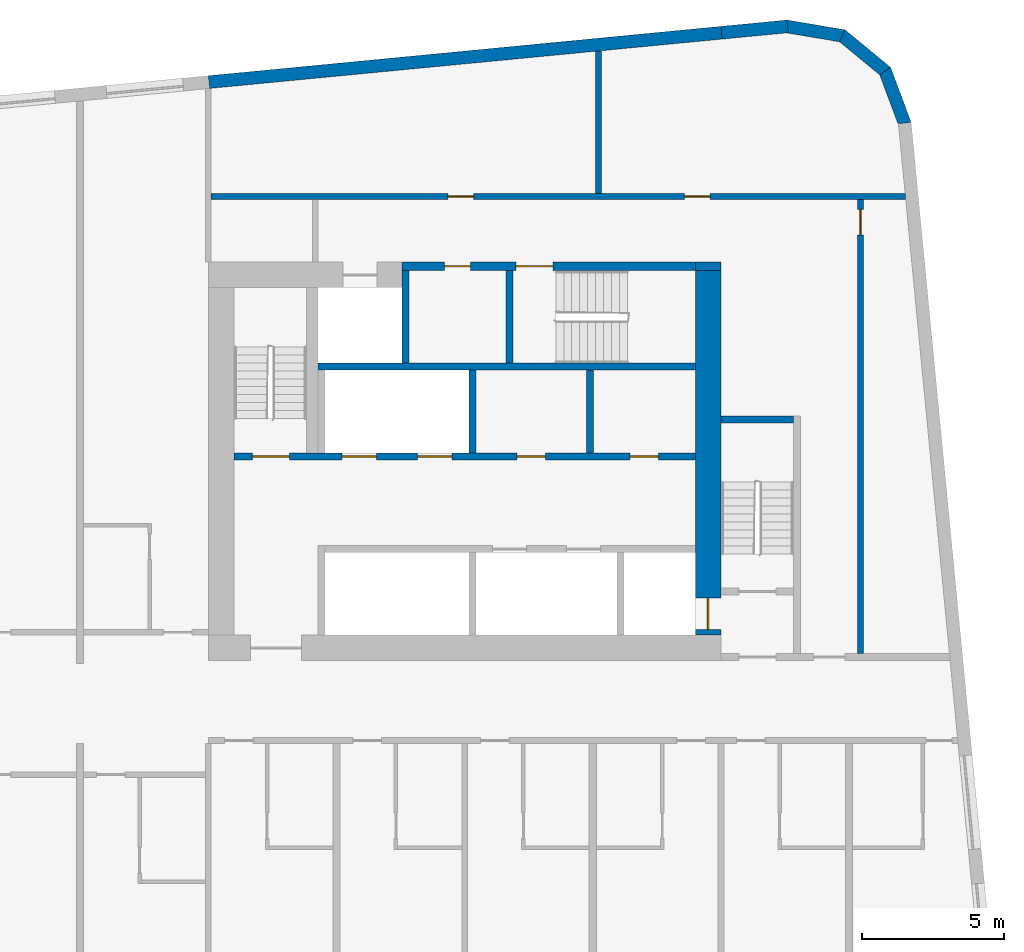
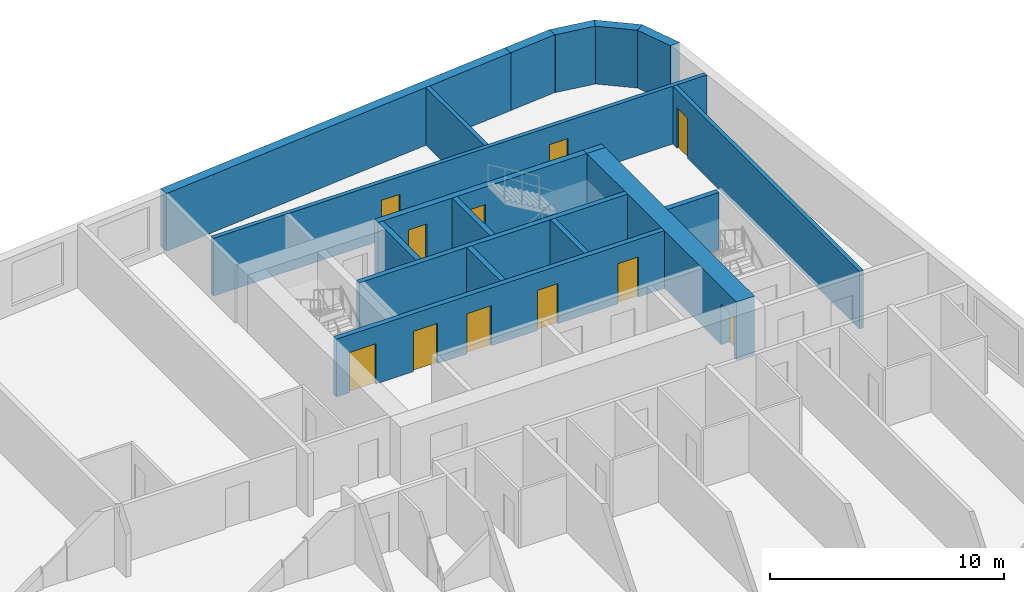
# One storey, part 8 of 12: 18 walls, 11 doors, 11 openings.
"""IFC4 building model written with IfcOpenShell, lengths in metres."""

from ifc_helpers import new_model, si_unit, direction, frame, frame_2d, origin, place, context, subcontext, project, spatial, polyline, rectangle, outline, extrude, material, layer, layer_set, type_object, element, fill, save


model = new_model("IFC4")

# Units and contexts
model_context = context("Model", 3, precision=1e-05, world=origin(), true_north=direction((0.0, 1.0)))
body_context = subcontext(model_context, "Body", "Model", "MODEL_VIEW")
ifc_project = project(units=[si_unit("LENGTHUNIT", "METRE"), si_unit("AREAUNIT", "SQUARE_METRE"), si_unit("VOLUMEUNIT", "CUBIC_METRE"), si_unit("PLANEANGLEUNIT", "RADIAN"), si_unit("MASSUNIT", "GRAM", prefix="KILO")], contexts=[model_context])

# Site, building, storey
site_placement = place(None, origin())
site = spatial("IfcSite", under=ifc_project, at=site_placement, CompositionType="ELEMENT")
building_placement = place(site_placement, origin())
building = spatial("IfcBuilding", under=site, at=building_placement, Name="Kajstack Hotel Tower", CompositionType="ELEMENT")
storey_placement = place(building_placement, frame((0.0, 0.0, 190.0)))
storey = spatial("IfcBuildingStorey", under=building, at=storey_placement, Name="L45", CompositionType="ELEMENT", Elevation=190.0)

# Wall
ifc_material_1 = material(Name="Concrete C60/75", Category="concrete")
ifc_layer_1 = layer(ifc_material_1, 0.89990234375)
ifc_layer_set_1 = layer_set([ifc_layer_1], Name="Core wall 900")
wall_type_1 = type_object("IfcWallType", Name="Core wall 900", PredefinedType="SHEAR", material=ifc_layer_set_1)
wall_1_placement = place(storey_placement, frame((30.60009765625, 15.35009765625, 0.0), z_axis=(0.0, 0.0, 1.0), x_axis=(1.0, 0.0, 0.0)))
element("IfcWall", 1, at=wall_1_placement, inside=storey, type_object=wall_type_1, Name="Core wall E RSW", PredefinedType="SHEAR", context=body_context, shape_type="SweptSolid", body=[
    extrude(rectangle(XDim=0.89990234375, YDim=0.300048828125, at=frame_2d((0.449951171875, 0.0))), origin(), (0.0, 0.0, 1.0), 3.02001953125),
])

# Wall, opening, door
wall_2_placement = place(storey_placement, frame((31.050048828125, 2.39990234375, 0.0), z_axis=(0.0, 0.0, 1.0), x_axis=(0.0, 1.0, 0.0)))
wall_2 = element("IfcWall", 2, at=wall_2_placement, inside=storey, type_object=wall_type_1, Name="Core wall E RW", PredefinedType="SHEAR", context=body_context, shape_type="SweptSolid", body=[
    extrude(rectangle(XDim=12.800048828125, YDim=0.89990234375, at=frame_2d((6.39990234375, 0.0))), origin(), (0.0, 0.0, 1.0), 3.02001953125),
])
opening_1_placement = place(wall_2_placement, frame((0.199951171875, 0.0, 0.0)))
opening_1 = element("IfcOpeningElement", 3, at=opening_1_placement, cuts=wall_2, Name="Opening LD-FF2", PredefinedType="OPENING", context=body_context, shape_type="SweptSolid", body=[
    extrude(rectangle(XDim=1.10009765625, YDim=2.10009765625, at=frame_2d((0.550048828125, 1.050048828125))), frame((0.0, 0.4599609375, 0.0), z_axis=(0.0, -1.0, 0.0), x_axis=(1.0, 0.0, 0.0)), (0.0, 0.0, 1.0), 0.919921875),
])
ifc_material_2 = material(Name="Stainless steel", Category="steel")
door_type_1 = type_object("IfcDoorType", Name="Fire-fighting lift landing door 1100", OperationType="SLIDING_TO_LEFT", PredefinedType="DOOR", material=ifc_material_2)
door_1_placement = place(opening_1_placement, origin())
door_1 = element("IfcDoor", 4, at=door_1_placement, inside=storey, type_object=door_type_1, Name="Landing door FF2", OperationType="SLIDING_TO_LEFT", OverallHeight=2.10009765625, OverallWidth=1.10009765625, PredefinedType="DOOR", context=body_context, shape_type="SweptSolid", body=[
    extrude(rectangle(XDim=1.10009765625, YDim=2.10009765625, at=frame_2d((0.550048828125, 1.050048828125))), frame((0.0, 0.02490234375, 0.0), z_axis=(0.0, -1.0, 0.0), x_axis=(1.0, 0.0, 0.0)), (0.0, 0.0, 1.0), 0.050048828125),
])
fill(opening_1, door_1)

# Walls
ifc_material_3 = material(Name="Concrete C40/50", Category="concrete")
ifc_layer_2 = layer(ifc_material_3, 0.449951171875)
ifc_layer_set_2 = layer_set([ifc_layer_2], Name="EW-CORE")
wall_type_2 = type_object("IfcWallType", Name="EW-CORE", PredefinedType="SOLIDWALL", material=ifc_layer_set_2)
wall_3_placement = place(storey_placement, frame((31.521484375, 23.55078125, 0.0), z_axis=(0.0, 0.0, 1.0), x_axis=(-0.995395166513, -0.095856468129, 0.0)))
element("IfcWall", 5, at=wall_3_placement, inside=storey, type_object=wall_type_2, Name="E-wall-L45-12-01", PredefinedType="SOLIDWALL", context=body_context, shape_type="SweptSolid", body=[
    extrude(rectangle(XDim=18.083251953125, YDim=0.449951171875, at=frame_2d((9.04150390625, 0.0))), origin(), (0.0, 0.0, 1.0), 3.02001953125),
])
ifc_material_4 = material(Name="Terracotta-faced brick masonry", Category="masonry")
ifc_layer_3 = layer(ifc_material_4, 0.449951171875)
ifc_layer_set_3 = layer_set([ifc_layer_3], Name="EW-TERRA")
wall_type_3 = type_object("IfcWallType", Name="EW-TERRA", PredefinedType="SOLIDWALL", material=ifc_layer_set_3)
wall_4_placement = place(storey_placement, frame((37.96875, 20.320556640625, 0.0), z_axis=(0.0, 0.0, 1.0), x_axis=(-0.350192909346, 0.936677599948, 0.0)))
element("IfcWall", 6, at=wall_4_placement, inside=storey, type_object=wall_type_3, Name="E-wall-L45-09-00", PredefinedType="SOLIDWALL", context=body_context, shape_type="SweptSolid", body=[
    extrude(outline(polyline([(0.0, -0.22509765625), (2.070556640625, -0.22509765625), (1.949951171875, 0.22509765625), (0.12060546875, 0.224853515625), (0.0, -0.22509765625)])), origin(), (0.0, 0.0, 1.0), 3.02001953125),
])
wall_5_placement = place(storey_placement, frame((37.311279296875, 22.165283203125, 0.0), z_axis=(0.0, 0.0, 1.0), x_axis=(-0.771651049663, 0.636046112757, 0.0)))
element("IfcWall", 7, at=wall_5_placement, inside=storey, type_object=wall_type_3, Name="E-wall-L45-10-00", PredefinedType="SOLIDWALL", context=body_context, shape_type="SweptSolid", body=[
    extrude(outline(polyline([(0.0, -0.224853515625), (2.0703125, -0.22509765625), (1.94970703125, 0.224853515625), (0.12060546875, 0.22509765625), (0.0, -0.224853515625)])), origin(), (0.0, 0.0, 1.0), 3.02001953125),
])
wall_6_placement = place(storey_placement, frame((35.819580078125, 23.433837890625, 0.0), z_axis=(0.0, 0.0, 1.0), x_axis=(-0.986278951104, 0.165087342366, 0.0)))
element("IfcWall", 8, at=wall_6_placement, inside=storey, type_object=wall_type_3, Name="E-wall-L45-11-00", PredefinedType="SOLIDWALL", context=body_context, shape_type="SweptSolid", body=[
    extrude(outline(polyline([(0.0, -0.22509765625), (2.070556640625, -0.224853515625), (1.949951171875, 0.22509765625), (0.12060546875, 0.224853515625), (0.0, -0.22509765625)])), origin(), (0.0, 0.0, 1.0), 3.02001953125),
])
wall_7_placement = place(storey_placement, frame((33.836181640625, 23.7734375, 0.0), z_axis=(0.0, 0.0, 1.0), x_axis=(-0.995405373555, -0.095750416695, 0.0)))
element("IfcWall", 9, at=wall_7_placement, inside=storey, type_object=wall_type_3, Name="E-wall-L45-12-00", PredefinedType="SOLIDWALL", context=body_context, shape_type="SweptSolid", body=[
    extrude(rectangle(XDim=2.325439453125, YDim=0.449951171875, at=frame_2d((1.16259765625, 0.0))), origin(), (0.0, 0.0, 1.0), 3.02001953125),
])
ifc_material_5 = material(Name="Concrete C50/60", Category="concrete")
ifc_layer_4 = layer(ifc_material_5, 0.300048828125)
ifc_layer_set_4 = layer_set([ifc_layer_4], Name="Hoistway divider wall 300")
wall_type_4 = type_object("IfcWallType", Name="Hoistway divider wall 300", PredefinedType="SHEAR", material=ifc_layer_set_4)
wall_8_placement = place(storey_placement, frame((22.77490234375, 8.800048828125, 0.0), z_axis=(0.0, 0.0, 1.0), x_axis=(0.0, 1.0, 0.0)))
element("IfcWall", 10, at=wall_8_placement, inside=storey, type_object=wall_type_4, Name="Core wall E BP2", PredefinedType="SHEAR", context=body_context, shape_type="SweptSolid", body=[
    extrude(rectangle(XDim=2.89990234375, YDim=0.25, at=frame_2d((1.449951171875, 0.0))), origin(), (0.0, 0.0, 1.0), 3.02001953125),
])
ifc_material_6 = material(Name="Concrete block masonry", Category="masonry")
ifc_layer_5 = layer(ifc_material_6, 0.25)
ifc_layer_set_5 = layer_set([ifc_layer_5], Name="Riser partition 250")
wall_type_5 = type_object("IfcWallType", Name="Riser partition 250", PredefinedType="PARTITIONING", material=ifc_layer_set_5)
wall_9_placement = place(storey_placement, frame((26.89990234375, 8.800048828125, 0.0), z_axis=(0.0, 0.0, 1.0), x_axis=(0.0, 1.0, 0.0)))
element("IfcWall", 11, at=wall_9_placement, inside=storey, type_object=wall_type_5, Name="Partition E BF0", PredefinedType="PARTITIONING", context=body_context, shape_type="SweptSolid", body=[
    extrude(rectangle(XDim=2.89990234375, YDim=0.25, at=frame_2d((1.449951171875, 0.0))), origin(), (0.0, 0.0, 1.0), 3.02001953125),
])

# Wall, opening, door
ifc_material_7 = material(Name="Gypsum board on steel studs, mineral wool", Category="steel")
ifc_layer_6 = layer(ifc_material_7, 0.199951171875)
ifc_layer_set_6 = layer_set([ifc_layer_6], Name="Service partition 200")
wall_type_6 = type_object("IfcWallType", Name="Service partition 200", PredefinedType="PARTITIONING", material=ifc_layer_set_6)
wall_10_placement = place(storey_placement, frame((36.39990234375, 1.75, 0.0), z_axis=(0.0, 0.0, 1.0), x_axis=(0.0, 1.0, 0.0)))
wall_10 = element("IfcWall", 12, at=wall_10_placement, inside=storey, type_object=wall_type_6, Name="Partition E WRE", PredefinedType="PARTITIONING", context=body_context, shape_type="SweptSolid", body=[
    extrude(rectangle(XDim=15.949951171875, YDim=0.199951171875, at=frame_2d((7.97509765625, 0.0))), origin(), (0.0, 0.0, 1.0), 3.02001953125),
])
opening_2_placement = place(wall_10_placement, frame((14.699951171875, 0.0, 0.0)))
opening_2 = element("IfcOpeningElement", 13, at=opening_2_placement, cuts=wall_10, Name="Opening 45E18", PredefinedType="OPENING", context=body_context, shape_type="SweptSolid", body=[
    extrude(rectangle(XDim=0.89990234375, YDim=2.10009765625, at=frame_2d((0.449951171875, 1.050048828125))), frame((0.0, 0.10986328125, 0.0), z_axis=(0.0, -1.0, 0.0), x_axis=(1.0, 0.0, 0.0)), (0.0, 0.0, 1.0), 0.219970703125),
])
ifc_material_8 = material(Name="Timber leaf, fire-rated", Category="wood")
door_type_2 = type_object("IfcDoorType", Name="Service door 900", OperationType="SINGLE_SWING_LEFT", PredefinedType="DOOR", material=ifc_material_8)
door_2_placement = place(opening_2_placement, origin())
door_2 = element("IfcDoor", 14, at=door_2_placement, inside=storey, type_object=door_type_2, Name="Door 45E18", OperationType="SINGLE_SWING_RIGHT", OverallHeight=2.10009765625, OverallWidth=0.89990234375, PredefinedType="DOOR", context=body_context, shape_type="SweptSolid", body=[
    extrude(rectangle(XDim=0.89990234375, YDim=2.10009765625, at=frame_2d((0.449951171875, 1.050048828125))), frame((0.0, 0.02490234375, 0.0), z_axis=(0.0, -1.0, 0.0), x_axis=(1.0, 0.0, 0.0)), (0.0, 0.0, 1.0), 0.050048828125),
])
fill(opening_2, door_2)

# Wall, openings, doors
wall_11_placement = place(storey_placement, frame((13.60009765625, 17.800048828125, 0.0), z_axis=(0.0, 0.0, 1.0), x_axis=(1.0, 0.0, 0.0)))
wall_11 = element("IfcWall", 15, at=wall_11_placement, inside=storey, type_object=wall_type_6, Name="Partition E SLN", PredefinedType="PARTITIONING", context=body_context, shape_type="SweptSolid", body=[
    extrude(rectangle(XDim=24.377685546875, YDim=0.199951171875, at=frame_2d((12.18896484375, 0.0))), origin(), (0.0, 0.0, 1.0), 3.02001953125),
])
opening_3_placement = place(wall_11_placement, frame((16.612548828125, 0.0, 0.0)))
opening_3 = element("IfcOpeningElement", 16, at=opening_3_placement, cuts=wall_11, Name="Opening 45E16", PredefinedType="OPENING", context=body_context, shape_type="SweptSolid", body=[
    extrude(rectangle(XDim=0.89990234375, YDim=2.10009765625, at=frame_2d((0.449951171875, 1.050048828125))), frame((0.0, 0.10986328125, 0.0), z_axis=(0.0, -1.0, 0.0), x_axis=(1.0, 0.0, 0.0)), (0.0, 0.0, 1.0), 0.219970703125),
])
opening_4_placement = place(wall_11_placement, frame((8.3125, 0.0, 0.0)))
opening_4 = element("IfcOpeningElement", 17, at=opening_4_placement, cuts=wall_11, Name="Opening 45E17", PredefinedType="OPENING", context=body_context, shape_type="SweptSolid", body=[
    extrude(rectangle(XDim=0.89990234375, YDim=2.10009765625, at=frame_2d((0.449951171875, 1.050048828125))), frame((0.0, 0.10986328125, 0.0), z_axis=(0.0, -1.0, 0.0), x_axis=(1.0, 0.0, 0.0)), (0.0, 0.0, 1.0), 0.219970703125),
])
door_3_placement = place(opening_3_placement, origin())
door_3 = element("IfcDoor", 18, at=door_3_placement, inside=storey, type_object=door_type_2, Name="Door 45E16", OperationType="SINGLE_SWING_LEFT", OverallHeight=2.10009765625, OverallWidth=0.89990234375, PredefinedType="DOOR", context=body_context, shape_type="SweptSolid", body=[
    extrude(rectangle(XDim=0.89990234375, YDim=2.10009765625, at=frame_2d((0.449951171875, 1.050048828125))), frame((0.0, 0.02490234375, 0.0), z_axis=(0.0, -1.0, 0.0), x_axis=(1.0, 0.0, 0.0)), (0.0, 0.0, 1.0), 0.050048828125),
])
fill(opening_3, door_3)
door_4_placement = place(opening_4_placement, origin())
door_4 = element("IfcDoor", 19, at=door_4_placement, inside=storey, type_object=door_type_2, Name="Door 45E17", OperationType="SINGLE_SWING_LEFT", OverallHeight=2.10009765625, OverallWidth=0.89990234375, PredefinedType="DOOR", context=body_context, shape_type="SweptSolid", body=[
    extrude(rectangle(XDim=0.89990234375, YDim=2.10009765625, at=frame_2d((0.449951171875, 1.050048828125))), frame((0.0, 0.02490234375, 0.0), z_axis=(0.0, -1.0, 0.0), x_axis=(1.0, 0.0, 0.0)), (0.0, 0.0, 1.0), 0.050048828125),
])
fill(opening_4, door_4)

# Wall
wall_12_placement = place(storey_placement, frame((27.199951171875, 17.89990234375, 0.0), z_axis=(0.0, 0.0, 1.0), x_axis=(0.0, 1.0, 0.0)))
element("IfcWall", 20, at=wall_12_placement, inside=storey, type_object=wall_type_6, Name="Partition E SLP0", PredefinedType="PARTITIONING", context=body_context, shape_type="SweptSolid", body=[
    extrude(rectangle(XDim=5.009521484375, YDim=0.199951171875, at=frame_2d((2.5048828125, 0.0))), origin(), (0.0, 0.0, 1.0), 3.02001953125),
])

# Wall, openings, doors
ifc_layer_7 = layer(ifc_material_5, 0.25)
ifc_layer_set_7 = layer_set([ifc_layer_7], Name="Shaft wall 250")
wall_type_7 = type_object("IfcWallType", Name="Shaft wall 250", PredefinedType="SHEAR", material=ifc_layer_set_7)
wall_13_placement = place(storey_placement, frame((20.300048828125, 15.35009765625, 0.0), z_axis=(0.0, 0.0, 1.0), x_axis=(1.0, 0.0, 0.0)))
wall_13 = element("IfcWall", 21, at=wall_13_placement, inside=storey, type_object=wall_type_7, Name="Core wall E RSS", PredefinedType="SHEAR", context=body_context, shape_type="SweptSolid", body=[
    extrude(rectangle(XDim=10.300048828125, YDim=0.300048828125, at=frame_2d((5.14990234375, 0.0))), origin(), (0.0, 0.0, 1.0), 3.02001953125),
])
opening_5_placement = place(wall_13_placement, frame((4.0, 0.0, 0.0)))
opening_5 = element("IfcOpeningElement", 22, at=opening_5_placement, cuts=wall_13, Name="Opening 45E12", PredefinedType="OPENING", context=body_context, shape_type="SweptSolid", body=[
    extrude(rectangle(XDim=1.300048828125, YDim=2.10009765625, at=frame_2d((0.64990234375, 1.050048828125))), frame((0.0, 0.159912109375, 0.0), z_axis=(0.0, -1.0, 0.0), x_axis=(1.0, 0.0, 0.0)), (0.0, 0.0, 1.0), 0.320068359375),
])
opening_6_placement = place(wall_13_placement, frame((1.5, 0.0, 0.0)))
opening_6 = element("IfcOpeningElement", 23, at=opening_6_placement, cuts=wall_13, Name="Opening 45E13", PredefinedType="OPENING", context=body_context, shape_type="SweptSolid", body=[
    extrude(rectangle(XDim=0.89990234375, YDim=2.10009765625, at=frame_2d((0.449951171875, 1.050048828125))), frame((0.0, 0.159912109375, 0.0), z_axis=(0.0, -1.0, 0.0), x_axis=(1.0, 0.0, 0.0)), (0.0, 0.0, 1.0), 0.320068359375),
])
door_5_placement = place(opening_6_placement, origin())
door_5 = element("IfcDoor", 24, at=door_5_placement, inside=storey, type_object=door_type_2, Name="Door 45E13", OperationType="SINGLE_SWING_RIGHT", OverallHeight=2.10009765625, OverallWidth=0.89990234375, PredefinedType="DOOR", context=body_context, shape_type="SweptSolid", body=[
    extrude(rectangle(XDim=0.89990234375, YDim=2.10009765625, at=frame_2d((0.449951171875, 1.050048828125))), frame((0.0, 0.02490234375, 0.0), z_axis=(0.0, -1.0, 0.0), x_axis=(1.0, 0.0, 0.0)), (0.0, 0.0, 1.0), 0.050048828125),
])
fill(opening_6, door_5)
ifc_material_9 = material(Name="Steel leaf, fire-rated", Category="steel")
door_type_3 = type_object("IfcDoorType", Name="Stair door 1300", OperationType="SINGLE_SWING_LEFT", PredefinedType="DOOR", material=ifc_material_9)
door_6_placement = place(opening_5_placement, origin())
door_6 = element("IfcDoor", 25, at=door_6_placement, inside=storey, type_object=door_type_3, Name="Door 45E12", OperationType="SINGLE_SWING_LEFT", OverallHeight=2.10009765625, OverallWidth=1.300048828125, PredefinedType="DOOR", context=body_context, shape_type="SweptSolid", body=[
    extrude(rectangle(XDim=1.300048828125, YDim=2.10009765625, at=frame_2d((0.64990234375, 1.050048828125))), frame((0.0, 0.02490234375, 0.0), z_axis=(0.0, -1.0, 0.0), x_axis=(1.0, 0.0, 0.0)), (0.0, 0.0, 1.0), 0.050048828125),
])
fill(opening_5, door_6)

wall_14_placement = place(storey_placement, frame((14.39990234375, 8.675048828125, 0.0), z_axis=(0.0, 0.0, 1.0), x_axis=(1.0, 0.0, 0.0)))
wall_14 = element("IfcWall", 26, at=wall_14_placement, inside=storey, type_object=wall_type_7, Name="Core wall E FB", PredefinedType="SHEAR", context=body_context, shape_type="SweptSolid", body=[
    extrude(rectangle(XDim=16.2001953125, YDim=0.25, at=frame_2d((8.10009765625, 0.0))), origin(), (0.0, 0.0, 1.0), 3.02001953125),
])
opening_7_placement = place(wall_14_placement, frame((6.449951171875, 0.0, 0.0)))
opening_7 = element("IfcOpeningElement", 27, at=opening_7_placement, cuts=wall_14, Name="Opening LD-MR5", PredefinedType="OPENING", context=body_context, shape_type="SweptSolid", body=[
    extrude(rectangle(XDim=1.199951171875, YDim=2.10009765625, at=frame_2d((0.60009765625, 1.050048828125))), frame((0.0, 0.135009765625, 0.0), z_axis=(0.0, -1.0, 0.0), x_axis=(1.0, 0.0, 0.0)), (0.0, 0.0, 1.0), 0.27001953125),
])
opening_8_placement = place(wall_14_placement, frame((3.800048828125, 0.0, 0.0)))
opening_8 = element("IfcOpeningElement", 28, at=opening_8_placement, cuts=wall_14, Name="Opening LD-MR6", PredefinedType="OPENING", context=body_context, shape_type="SweptSolid", body=[
    extrude(rectangle(XDim=1.199951171875, YDim=2.10009765625, at=frame_2d((0.60009765625, 1.050048828125))), frame((0.0, 0.135009765625, 0.0), z_axis=(0.0, -1.0, 0.0), x_axis=(1.0, 0.0, 0.0)), (0.0, 0.0, 1.0), 0.27001953125),
])
opening_9_placement = place(wall_14_placement, frame((0.64990234375, 0.0, 0.0)))
opening_9 = element("IfcOpeningElement", 29, at=opening_9_placement, cuts=wall_14, Name="Opening 45E11", PredefinedType="OPENING", context=body_context, shape_type="SweptSolid", body=[
    extrude(rectangle(XDim=1.300048828125, YDim=2.10009765625, at=frame_2d((0.64990234375, 1.050048828125))), frame((0.0, 0.135009765625, 0.0), z_axis=(0.0, -1.0, 0.0), x_axis=(1.0, 0.0, 0.0)), (0.0, 0.0, 1.0), 0.27001953125),
])
opening_10_placement = place(wall_14_placement, frame((13.91259765625, 0.0, 0.0)))
opening_10 = element("IfcOpeningElement", 30, at=opening_10_placement, cuts=wall_14, Name="Opening 45E14", PredefinedType="OPENING", context=body_context, shape_type="SweptSolid", body=[
    extrude(rectangle(XDim=1.0, YDim=2.10009765625, at=frame_2d((0.5, 1.050048828125))), frame((0.0, 0.135009765625, 0.0), z_axis=(0.0, -1.0, 0.0), x_axis=(1.0, 0.0, 0.0)), (0.0, 0.0, 1.0), 0.27001953125),
])
opening_11_placement = place(wall_14_placement, frame((9.9375, 0.0, 0.0)))
opening_11 = element("IfcOpeningElement", 31, at=opening_11_placement, cuts=wall_14, Name="Opening 45E15", PredefinedType="OPENING", context=body_context, shape_type="SweptSolid", body=[
    extrude(rectangle(XDim=1.0, YDim=2.10009765625, at=frame_2d((0.5, 1.050048828125))), frame((0.0, 0.135009765625, 0.0), z_axis=(0.0, -1.0, 0.0), x_axis=(1.0, 0.0, 0.0)), (0.0, 0.0, 1.0), 0.27001953125),
])
door_type_4 = type_object("IfcDoorType", Name="Lift landing door 1200", OperationType="SLIDING_TO_LEFT", PredefinedType="DOOR", material=ifc_material_2)
door_7_placement = place(opening_7_placement, origin())
door_7 = element("IfcDoor", 32, at=door_7_placement, inside=storey, type_object=door_type_4, Name="Landing door MR5", OperationType="SLIDING_TO_LEFT", OverallHeight=2.10009765625, OverallWidth=1.199951171875, PredefinedType="DOOR", context=body_context, shape_type="SweptSolid", body=[
    extrude(rectangle(XDim=1.199951171875, YDim=2.10009765625, at=frame_2d((0.60009765625, 1.050048828125))), frame((0.0, 0.02490234375, 0.0), z_axis=(0.0, -1.0, 0.0), x_axis=(1.0, 0.0, 0.0)), (0.0, 0.0, 1.0), 0.050048828125),
])
fill(opening_7, door_7)
door_8_placement = place(opening_8_placement, origin())
door_8 = element("IfcDoor", 33, at=door_8_placement, inside=storey, type_object=door_type_4, Name="Landing door MR6", OperationType="SLIDING_TO_RIGHT", OverallHeight=2.10009765625, OverallWidth=1.199951171875, PredefinedType="DOOR", context=body_context, shape_type="SweptSolid", body=[
    extrude(rectangle(XDim=1.199951171875, YDim=2.10009765625, at=frame_2d((0.60009765625, 1.050048828125))), frame((0.0, 0.02490234375, 0.0), z_axis=(0.0, -1.0, 0.0), x_axis=(1.0, 0.0, 0.0)), (0.0, 0.0, 1.0), 0.050048828125),
])
fill(opening_8, door_8)
door_type_5 = type_object("IfcDoorType", Name="Service room door 1000", OperationType="SINGLE_SWING_LEFT", PredefinedType="DOOR", material=ifc_material_8)
door_9_placement = place(opening_10_placement, origin())
door_9 = element("IfcDoor", 34, at=door_9_placement, inside=storey, type_object=door_type_5, Name="Door 45E14", OperationType="SINGLE_SWING_LEFT", OverallHeight=2.10009765625, OverallWidth=1.0, PredefinedType="DOOR", context=body_context, shape_type="SweptSolid", body=[
    extrude(rectangle(XDim=1.0, YDim=2.10009765625, at=frame_2d((0.5, 1.050048828125))), frame((0.0, 0.02490234375, 0.0), z_axis=(0.0, -1.0, 0.0), x_axis=(1.0, 0.0, 0.0)), (0.0, 0.0, 1.0), 0.050048828125),
])
fill(opening_10, door_9)
door_10_placement = place(opening_11_placement, origin())
door_10 = element("IfcDoor", 35, at=door_10_placement, inside=storey, type_object=door_type_5, Name="Door 45E15", OperationType="SINGLE_SWING_LEFT", OverallHeight=2.10009765625, OverallWidth=1.0, PredefinedType="DOOR", context=body_context, shape_type="SweptSolid", body=[
    extrude(rectangle(XDim=1.0, YDim=2.10009765625, at=frame_2d((0.5, 1.050048828125))), frame((0.0, 0.02490234375, 0.0), z_axis=(0.0, -1.0, 0.0), x_axis=(1.0, 0.0, 0.0)), (0.0, 0.0, 1.0), 0.050048828125),
])
fill(opening_11, door_10)
door_11_placement = place(opening_9_placement, origin())
door_11 = element("IfcDoor", 36, at=door_11_placement, inside=storey, type_object=door_type_3, Name="Door 45E11", OperationType="SINGLE_SWING_LEFT", OverallHeight=2.10009765625, OverallWidth=1.300048828125, PredefinedType="DOOR", context=body_context, shape_type="SweptSolid", body=[
    extrude(rectangle(XDim=1.300048828125, YDim=2.10009765625, at=frame_2d((0.64990234375, 1.050048828125))), frame((0.0, 0.02490234375, 0.0), z_axis=(0.0, -1.0, 0.0), x_axis=(1.0, 0.0, 0.0)), (0.0, 0.0, 1.0), 0.050048828125),
])
fill(opening_9, door_11)

# Walls
wall_15_placement = place(storey_placement, frame((17.35009765625, 11.824951171875, 0.0), z_axis=(0.0, 0.0, 1.0), x_axis=(1.0, 0.0, 0.0)))
element("IfcWall", 37, at=wall_15_placement, inside=storey, type_object=wall_type_7, Name="Core wall E RB", PredefinedType="SHEAR", context=body_context, shape_type="SweptSolid", body=[
    extrude(rectangle(XDim=13.25, YDim=0.25, at=frame_2d((6.625, 0.0))), origin(), (0.0, 0.0, 1.0), 3.02001953125),
])
wall_16_placement = place(storey_placement, frame((20.425048828125, 11.949951171875, 0.0), z_axis=(0.0, 0.0, 1.0), x_axis=(0.0, 1.0, 0.0)))
element("IfcWall", 38, at=wall_16_placement, inside=storey, type_object=wall_type_7, Name="Core wall E SVW", PredefinedType="SHEAR", context=body_context, shape_type="SweptSolid", body=[
    extrude(rectangle(XDim=3.25, YDim=0.25, at=frame_2d((1.625, 0.0))), origin(), (0.0, 0.0, 1.0), 3.02001953125),
])
ifc_layer_8 = layer(ifc_material_3, 0.25)
ifc_layer_set_8 = layer_set([ifc_layer_8], Name="Stair enclosure wall 250")
wall_type_8 = type_object("IfcWallType", Name="Stair enclosure wall 250", PredefinedType="SHEAR", material=ifc_layer_set_8)
wall_17_placement = place(storey_placement, frame((31.5, 9.97509765625, 0.0), z_axis=(0.0, 0.0, 1.0), x_axis=(1.0, 0.0, 0.0)))
element("IfcWall", 39, at=wall_17_placement, inside=storey, type_object=wall_type_8, Name="Core wall E W1S", PredefinedType="SHEAR", context=body_context, shape_type="SweptSolid", body=[
    extrude(rectangle(XDim=2.550048828125, YDim=0.25, at=frame_2d((1.27490234375, 0.0))), origin(), (0.0, 0.0, 1.0), 3.02001953125),
])
ifc_layer_9 = layer(ifc_material_5, 0.35009765625)
ifc_layer_set_9 = layer_set([ifc_layer_9], Name="Stair enclosure wall 350")
wall_type_9 = type_object("IfcWallType", Name="Stair enclosure wall 350", PredefinedType="SHEAR", material=ifc_layer_set_9)
wall_18_placement = place(storey_placement, frame((24.074951171875, 11.949951171875, 0.0), z_axis=(0.0, 0.0, 1.0), x_axis=(0.0, 1.0, 0.0)))
element("IfcWall", 40, at=wall_18_placement, inside=storey, type_object=wall_type_9, Name="Core wall E W3E", PredefinedType="SHEAR", context=body_context, shape_type="SweptSolid", body=[
    extrude(rectangle(XDim=3.25, YDim=0.25, at=frame_2d((1.625, 0.0))), origin(), (0.0, 0.0, 1.0), 3.02001953125),
])

save(model, "model.ifc")
